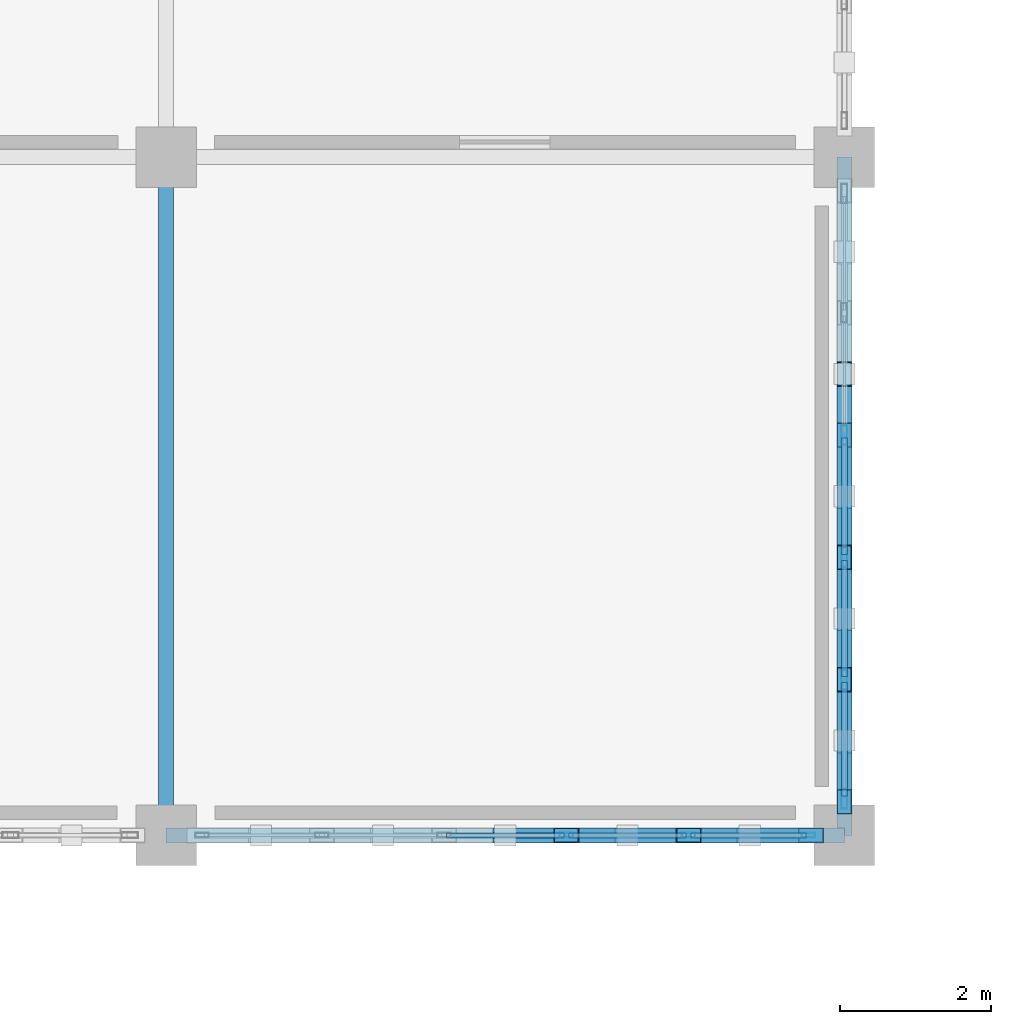
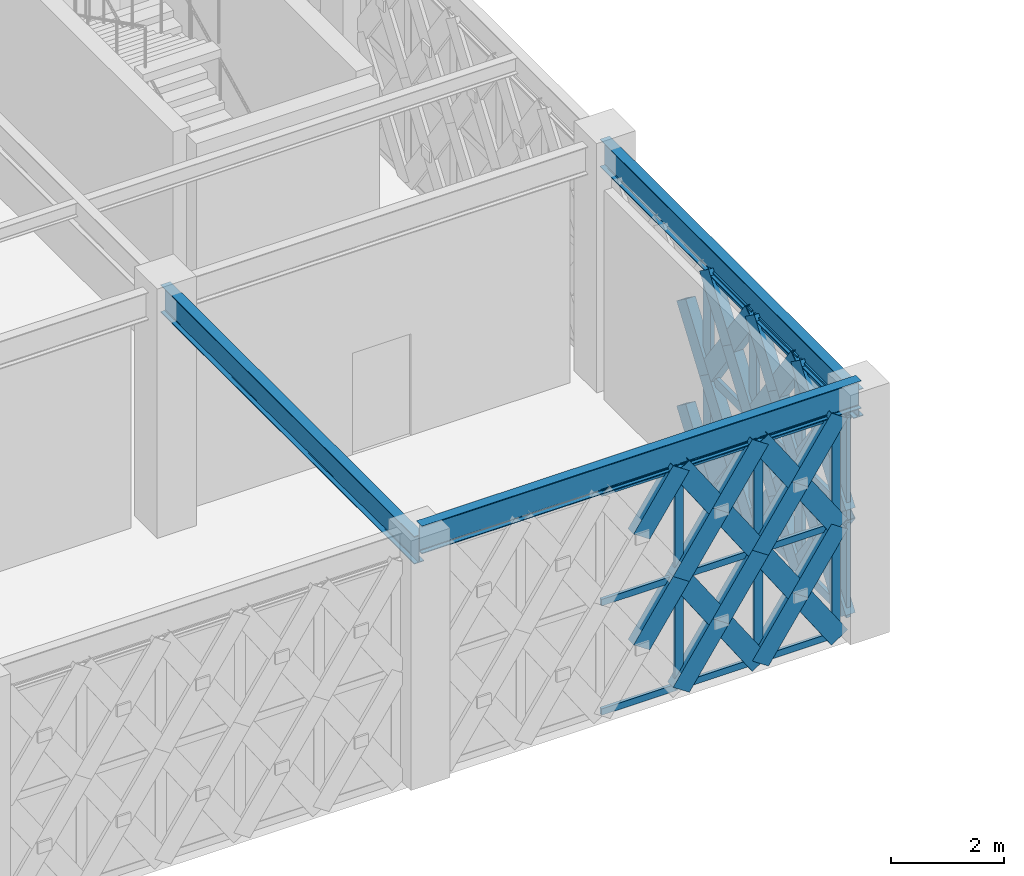
# One storey, part 11 of 86: 59 members, 3 beams, 2 elements without a shape of their own.
"""IFC4 building model written with IfcOpenShell, lengths in metres."""

from ifc_helpers import new_model, si_unit, direction, frame, origin, origin_2d, place, context, subcontext, project, spatial, hollow_rectangle, i_section, extrude, material, material_profile, profile_set, type_object, element, aggregate, save


model = new_model("IFC4")

# Units and contexts
model_context = context("Model", 3, precision=1e-05, world=origin(), true_north=direction((0.0, 1.0)))
body_context = subcontext(model_context, "Body", "Model", "MODEL_VIEW")
ifc_project = project(units=[si_unit("LENGTHUNIT", "METRE"), si_unit("AREAUNIT", "SQUARE_METRE"), si_unit("VOLUMEUNIT", "CUBIC_METRE"), si_unit("PLANEANGLEUNIT", "RADIAN"), si_unit("MASSUNIT", "GRAM", prefix="KILO")], contexts=[model_context])

# Site, building, storey
site_placement = place(None, origin())
site = spatial("IfcSite", under=ifc_project, at=site_placement, CompositionType="ELEMENT")
building_placement = place(site_placement, origin())
building = spatial("IfcBuilding", under=site, at=building_placement, Name="Haizhuo Lancet Aquarium", CompositionType="ELEMENT")
storey_placement = place(building_placement, frame((0.0, 0.0, 16.199951171875)))
storey = spatial("IfcBuildingStorey", under=building, at=storey_placement, Name="L03", CompositionType="ELEMENT", Elevation=16.199951171875)

# Beams
ifc_material_1 = material(Name="Steel S355", Category="steel")
ifc_material_profile_1 = material_profile(ifc_material_1, i_section(OverallWidth=0.199951171875, OverallDepth=0.60009765625, WebThickness=0.010986328125, FlangeThickness=0.01708984375, FilletRadius=0.02197265625, at=origin_2d()), Name="HN 600x200x11x17")
ifc_profile_set_1 = profile_set([ifc_material_profile_1], Name="Steel S355")
beam_type = type_object("IfcBeamType", Name="BM-ST-HN600", PredefinedType="BEAM", material=ifc_profile_set_1)
for number, where, z_axis, x_axis, name in (
    (1, (-45.0, -36.0, 4.85009765625), (0.0, 1.0, 0.0), (-1.0, 0.0, 0.0), "L03 V6 primary girder BM-L03-V6-021"),
    (2, (-45.0, -36.0, 5.10009765625), (1.0, 0.0, 0.0), (0.0, 1.0, 0.0), "L03 V6 primary girder BM-L03-V6-022"),
    (3, (-36.0, -36.0, 4.85009765625), (0.0, 1.0, 0.0), (-1.0, 0.0, 0.0), "L03 V6 primary girder BM-L03-V6-027"),
):
    element("IfcBeam", number, at=place(storey_placement, frame(where, z_axis=z_axis, x_axis=x_axis)), inside=storey, type_object=beam_type, Name=name, PredefinedType="BEAM", context=body_context, shape_type="SweptSolid", body=[
        extrude(i_section(OverallWidth=0.199951171875, OverallDepth=0.60009765625, WebThickness=0.010986328125, FlangeThickness=0.01708984375, FilletRadius=0.02197265625, at=origin_2d()), origin(), (0.0, 0.0, 1.0), 9.0),
    ])

# Curtain wall, members
ifc_material_2 = material(Name="Aluminium 6063-T6", Category="aluminium")
curtain_wall_type_1 = type_object("IfcCurtainWallType", Name="CWD-8110x4800", PredefinedType="NOTDEFINED", material=ifc_material_2)
curtain_wall_1_placement = place(storey_placement, origin())
curtain_wall_1 = element("IfcCurtainWall", 4, at=curtain_wall_1_placement, inside=storey, type_object=curtain_wall_type_1, Name="L03 curtain wall CW-V6-L03-238", PredefinedType="NOTDEFINED")
ifc_material_profile_2 = material_profile(ifc_material_2, hollow_rectangle(XDim=0.06494140625, YDim=0.179931640625, WallThickness=0.00390625, at=origin_2d()), Name="ALU-M 65x180x4")
ifc_profile_set_2 = profile_set([ifc_material_profile_2], Name="Aluminium 6063-T6")
member_type_1 = type_object("IfcMemberType", Name="CW-MUL-1", PredefinedType="MULLION", material=ifc_profile_set_2)
member_1_placement = place(storey_placement, frame((-36.47705078125, -36.0, 0.0), z_axis=(0.0, 0.0, 1.0), x_axis=(0.0, -1.0, 0.0)))
member_1 = element("IfcMember", 5, at=member_1_placement, type_object=member_type_1, Name="CWD-81x48 mullion 1", PredefinedType="MULLION", context=body_context, shape_type="SweptSolid", body=[
    extrude(hollow_rectangle(XDim=0.06494140625, YDim=0.179931640625, WallThickness=0.00390625, at=origin_2d()), origin(), (0.0, 0.0, 1.0), 4.800048828125),
])
member_2_placement = place(storey_placement, frame((-38.06689453125, -36.0, 0.0), z_axis=(0.0, 0.0, 1.0), x_axis=(0.0, -1.0, 0.0)))
member_2 = element("IfcMember", 6, at=member_2_placement, type_object=member_type_1, Name="CWD-81x48 mullion 2", PredefinedType="MULLION", context=body_context, shape_type="SweptSolid", body=[
    extrude(hollow_rectangle(XDim=0.06494140625, YDim=0.179931640625, WallThickness=0.00390625, at=origin_2d()), origin(), (0.0, 0.0, 1.0), 4.800048828125),
])
member_3_placement = place(storey_placement, frame((-39.68896484375, -36.0, 0.0), z_axis=(0.0, 0.0, 1.0), x_axis=(0.0, -1.0, 0.0)))
member_3 = element("IfcMember", 7, at=member_3_placement, type_object=member_type_1, Name="CWD-81x48 mullion 3", PredefinedType="MULLION", context=body_context, shape_type="SweptSolid", body=[
    extrude(hollow_rectangle(XDim=0.06494140625, YDim=0.179931640625, WallThickness=0.00390625, at=origin_2d()), origin(), (0.0, 0.0, 1.0), 4.800048828125),
])

curtain_wall_type_2 = type_object("IfcCurtainWallType", Name="CWD-8110x4550", PredefinedType="NOTDEFINED", material=ifc_material_2)
curtain_wall_2_placement = place(storey_placement, origin())
curtain_wall_2 = element("IfcCurtainWall", 8, at=curtain_wall_2_placement, inside=storey, type_object=curtain_wall_type_2, Name="L03 curtain wall CW-V6-L03-237", PredefinedType="NOTDEFINED")
ifc_material_profile_3 = material_profile(ifc_material_2, hollow_rectangle(XDim=0.080078125, YDim=0.260009765625, WallThickness=0.0048828125, at=origin_2d()), Name="ALU-M 80x260x5")
ifc_profile_set_3 = profile_set([ifc_material_profile_3], Name="Aluminium 6063-T6")
member_type_2 = type_object("IfcMemberType", Name="CW-MUL-3", PredefinedType="MULLION", material=ifc_profile_set_3)
member_4_placement = place(storey_placement, frame((-36.0, -30.68896484375, 0.0), z_axis=(0.0, 0.0, 1.0), x_axis=(1.0, 0.0, 0.0)))
member_4 = element("IfcMember", 9, at=member_4_placement, type_object=member_type_2, Name="CWD-81x45 mullion 3", PredefinedType="MULLION", context=body_context, shape_type="SweptSolid", body=[
    extrude(hollow_rectangle(XDim=0.080078125, YDim=0.260009765625, WallThickness=0.0048828125, at=origin_2d()), origin(), (0.0, 0.0, 1.0), 4.550048828125),
])
member_5_placement = place(storey_placement, frame((-36.0, -32.31103515625, 0.0), z_axis=(0.0, 0.0, 1.0), x_axis=(1.0, 0.0, 0.0)))
member_5 = element("IfcMember", 10, at=member_5_placement, type_object=member_type_2, Name="CWD-81x45 mullion 4", PredefinedType="MULLION", context=body_context, shape_type="SweptSolid", body=[
    extrude(hollow_rectangle(XDim=0.080078125, YDim=0.260009765625, WallThickness=0.0048828125, at=origin_2d()), origin(), (0.0, 0.0, 1.0), 4.550048828125),
])
member_6_placement = place(storey_placement, frame((-36.0, -33.93310546875, 0.0), z_axis=(0.0, 0.0, 1.0), x_axis=(1.0, 0.0, 0.0)))
member_6 = element("IfcMember", 11, at=member_6_placement, type_object=member_type_2, Name="CWD-81x45 mullion 5", PredefinedType="MULLION", context=body_context, shape_type="SweptSolid", body=[
    extrude(hollow_rectangle(XDim=0.080078125, YDim=0.260009765625, WallThickness=0.0048828125, at=origin_2d()), origin(), (0.0, 0.0, 1.0), 4.550048828125),
])
member_7_placement = place(storey_placement, frame((-36.0, -35.514892578125, 0.0), z_axis=(0.0, 0.0, 1.0), x_axis=(1.0, 0.0, 0.0)))
member_7 = element("IfcMember", 12, at=member_7_placement, type_object=member_type_2, Name="CWD-81x45 mullion 6", PredefinedType="MULLION", context=body_context, shape_type="SweptSolid", body=[
    extrude(hollow_rectangle(XDim=0.080078125, YDim=0.260009765625, WallThickness=0.0048828125, at=origin_2d()), origin(), (0.0, 0.0, 1.0), 4.550048828125),
])

# Member
ifc_material_profile_4 = material_profile(ifc_material_2, hollow_rectangle(XDim=0.06494140625, YDim=0.139892578125, WallThickness=0.00390625, at=origin_2d()), Name="ALU-T 65x140x4")
ifc_profile_set_4 = profile_set([ifc_material_profile_4], Name="Aluminium 6063-T6")
member_type_3 = type_object("IfcMemberType", Name="CW-TRN-1", PredefinedType="NOTDEFINED", material=ifc_profile_set_4)
member_8_placement = place(storey_placement, frame((-36.510009765625, -36.0, 0.031982421875), z_axis=(-1.0, 0.0, 0.0), x_axis=(0.0, -1.0, 0.0)))
member_8 = element("IfcMember", 13, at=member_8_placement, type_object=member_type_3, Name="CWD-81x48 transom 1.1", ObjectType="TRANSOM", PredefinedType="USERDEFINED", context=body_context, shape_type="SweptSolid", body=[
    extrude(hollow_rectangle(XDim=0.06494140625, YDim=0.139892578125, WallThickness=0.00390625, at=origin_2d()), origin(), (0.0, 0.0, 1.0), 1.52490234375),
])

member_9_placement = place(storey_placement, frame((-36.510009765625, -36.0, 2.400146484375), z_axis=(-1.0, 0.0, 0.0), x_axis=(0.0, -1.0, 0.0)))
member_9 = element("IfcMember", 14, at=member_9_placement, type_object=member_type_3, Name="CWD-81x48 transom 1.2", ObjectType="TRANSOM", PredefinedType="USERDEFINED", context=body_context, shape_type="SweptSolid", body=[
    extrude(hollow_rectangle(XDim=0.06494140625, YDim=0.139892578125, WallThickness=0.00390625, at=origin_2d()), origin(), (0.0, 0.0, 1.0), 1.52490234375),
])

member_10_placement = place(storey_placement, frame((-36.510009765625, -36.0, 4.76806640625), z_axis=(-1.0, 0.0, 0.0), x_axis=(0.0, -1.0, 0.0)))
member_10 = element("IfcMember", 15, at=member_10_placement, type_object=member_type_3, Name="CWD-81x48 transom 1.3", ObjectType="TRANSOM", PredefinedType="USERDEFINED", context=body_context, shape_type="SweptSolid", body=[
    extrude(hollow_rectangle(XDim=0.06494140625, YDim=0.139892578125, WallThickness=0.00390625, at=origin_2d()), origin(), (0.0, 0.0, 1.0), 1.52490234375),
])

member_11_placement = place(storey_placement, frame((-38.09912109375, -36.0, 0.031982421875), z_axis=(-1.0, 0.0, 0.0), x_axis=(0.0, -1.0, 0.0)))
member_11 = element("IfcMember", 16, at=member_11_placement, type_object=member_type_3, Name="CWD-81x48 transom 2.1", ObjectType="TRANSOM", PredefinedType="USERDEFINED", context=body_context, shape_type="SweptSolid", body=[
    extrude(hollow_rectangle(XDim=0.06494140625, YDim=0.139892578125, WallThickness=0.00390625, at=origin_2d()), origin(), (0.0, 0.0, 1.0), 1.557861328125),
])

member_12_placement = place(storey_placement, frame((-38.09912109375, -36.0, 2.400146484375), z_axis=(-1.0, 0.0, 0.0), x_axis=(0.0, -1.0, 0.0)))
member_12 = element("IfcMember", 17, at=member_12_placement, type_object=member_type_3, Name="CWD-81x48 transom 2.2", ObjectType="TRANSOM", PredefinedType="USERDEFINED", context=body_context, shape_type="SweptSolid", body=[
    extrude(hollow_rectangle(XDim=0.06494140625, YDim=0.139892578125, WallThickness=0.00390625, at=origin_2d()), origin(), (0.0, 0.0, 1.0), 1.557861328125),
])

member_13_placement = place(storey_placement, frame((-38.09912109375, -36.0, 4.76806640625), z_axis=(-1.0, 0.0, 0.0), x_axis=(0.0, -1.0, 0.0)))
member_13 = element("IfcMember", 18, at=member_13_placement, type_object=member_type_3, Name="CWD-81x48 transom 2.3", ObjectType="TRANSOM", PredefinedType="USERDEFINED", context=body_context, shape_type="SweptSolid", body=[
    extrude(hollow_rectangle(XDim=0.06494140625, YDim=0.139892578125, WallThickness=0.00390625, at=origin_2d()), origin(), (0.0, 0.0, 1.0), 1.557861328125),
])

member_14_placement = place(storey_placement, frame((-39.720947265625, -36.0, 0.031982421875), z_axis=(-1.0, 0.0, 0.0), x_axis=(0.0, -1.0, 0.0)))
member_14 = element("IfcMember", 19, at=member_14_placement, type_object=member_type_3, Name="CWD-81x48 transom 3.1", ObjectType="TRANSOM", PredefinedType="USERDEFINED", context=body_context, shape_type="SweptSolid", body=[
    extrude(hollow_rectangle(XDim=0.06494140625, YDim=0.139892578125, WallThickness=0.00390625, at=origin_2d()), origin(), (0.0, 0.0, 1.0), 1.55810546875),
])

member_15_placement = place(storey_placement, frame((-39.720947265625, -36.0, 2.400146484375), z_axis=(-1.0, 0.0, 0.0), x_axis=(0.0, -1.0, 0.0)))
member_15 = element("IfcMember", 20, at=member_15_placement, type_object=member_type_3, Name="CWD-81x48 transom 3.2", ObjectType="TRANSOM", PredefinedType="USERDEFINED", context=body_context, shape_type="SweptSolid", body=[
    extrude(hollow_rectangle(XDim=0.06494140625, YDim=0.139892578125, WallThickness=0.00390625, at=origin_2d()), origin(), (0.0, 0.0, 1.0), 1.55810546875),
])

member_16_placement = place(storey_placement, frame((-39.720947265625, -36.0, 4.76806640625), z_axis=(-1.0, 0.0, 0.0), x_axis=(0.0, -1.0, 0.0)))
member_16 = element("IfcMember", 21, at=member_16_placement, type_object=member_type_3, Name="CWD-81x48 transom 3.3", ObjectType="TRANSOM", PredefinedType="USERDEFINED", context=body_context, shape_type="SweptSolid", body=[
    extrude(hollow_rectangle(XDim=0.06494140625, YDim=0.139892578125, WallThickness=0.00390625, at=origin_2d()), origin(), (0.0, 0.0, 1.0), 1.55810546875),
])

aggregate(curtain_wall_1, [member_1, member_2, member_3, member_8, member_9, member_10, member_11, member_12, member_13, member_14, member_15, member_16])

ifc_material_profile_5 = material_profile(ifc_material_2, hollow_rectangle(XDim=0.080078125, YDim=0.18994140625, WallThickness=0.0048828125, at=origin_2d()), Name="ALU-T 80x190x5")
ifc_profile_set_5 = profile_set([ifc_material_profile_5], Name="Aluminium 6063-T6")
member_type_4 = type_object("IfcMemberType", Name="CW-TRN-3", PredefinedType="NOTDEFINED", material=ifc_profile_set_5)
member_17_placement = place(storey_placement, frame((-36.0, -30.72900390625, 0.0400390625), z_axis=(0.0, -1.0, 0.0), x_axis=(1.0, 0.0, 0.0)))
member_17 = element("IfcMember", 22, at=member_17_placement, type_object=member_type_4, Name="CWD-81x45 transom 3.1", ObjectType="TRANSOM", PredefinedType="USERDEFINED", context=body_context, shape_type="SweptSolid", body=[
    extrude(hollow_rectangle(XDim=0.080078125, YDim=0.18994140625, WallThickness=0.0048828125, at=origin_2d()), origin(), (0.0, 0.0, 1.0), 1.5419921875),
])

member_18_placement = place(storey_placement, frame((-36.0, -30.72900390625, 2.275146484375), z_axis=(0.0, -1.0, 0.0), x_axis=(1.0, 0.0, 0.0)))
member_18 = element("IfcMember", 23, at=member_18_placement, type_object=member_type_4, Name="CWD-81x45 transom 3.2", ObjectType="TRANSOM", PredefinedType="USERDEFINED", context=body_context, shape_type="SweptSolid", body=[
    extrude(hollow_rectangle(XDim=0.080078125, YDim=0.18994140625, WallThickness=0.0048828125, at=origin_2d()), origin(), (0.0, 0.0, 1.0), 1.5419921875),
])

member_19_placement = place(storey_placement, frame((-36.0, -30.72900390625, 4.510009765625), z_axis=(0.0, -1.0, 0.0), x_axis=(1.0, 0.0, 0.0)))
member_19 = element("IfcMember", 24, at=member_19_placement, type_object=member_type_4, Name="CWD-81x45 transom 3.3", ObjectType="TRANSOM", PredefinedType="USERDEFINED", context=body_context, shape_type="SweptSolid", body=[
    extrude(hollow_rectangle(XDim=0.080078125, YDim=0.18994140625, WallThickness=0.0048828125, at=origin_2d()), origin(), (0.0, 0.0, 1.0), 1.5419921875),
])

member_20_placement = place(storey_placement, frame((-36.0, -32.35107421875, 0.0400390625), z_axis=(0.0, -1.0, 0.0), x_axis=(1.0, 0.0, 0.0)))
member_20 = element("IfcMember", 25, at=member_20_placement, type_object=member_type_4, Name="CWD-81x45 transom 4.1", ObjectType="TRANSOM", PredefinedType="USERDEFINED", context=body_context, shape_type="SweptSolid", body=[
    extrude(hollow_rectangle(XDim=0.080078125, YDim=0.18994140625, WallThickness=0.0048828125, at=origin_2d()), origin(), (0.0, 0.0, 1.0), 1.5419921875),
])

member_21_placement = place(storey_placement, frame((-36.0, -32.35107421875, 2.275146484375), z_axis=(0.0, -1.0, 0.0), x_axis=(1.0, 0.0, 0.0)))
member_21 = element("IfcMember", 26, at=member_21_placement, type_object=member_type_4, Name="CWD-81x45 transom 4.2", ObjectType="TRANSOM", PredefinedType="USERDEFINED", context=body_context, shape_type="SweptSolid", body=[
    extrude(hollow_rectangle(XDim=0.080078125, YDim=0.18994140625, WallThickness=0.0048828125, at=origin_2d()), origin(), (0.0, 0.0, 1.0), 1.5419921875),
])

member_22_placement = place(storey_placement, frame((-36.0, -32.35107421875, 4.510009765625), z_axis=(0.0, -1.0, 0.0), x_axis=(1.0, 0.0, 0.0)))
member_22 = element("IfcMember", 27, at=member_22_placement, type_object=member_type_4, Name="CWD-81x45 transom 4.3", ObjectType="TRANSOM", PredefinedType="USERDEFINED", context=body_context, shape_type="SweptSolid", body=[
    extrude(hollow_rectangle(XDim=0.080078125, YDim=0.18994140625, WallThickness=0.0048828125, at=origin_2d()), origin(), (0.0, 0.0, 1.0), 1.5419921875),
])

member_23_placement = place(storey_placement, frame((-36.0, -33.972900390625, 0.0400390625), z_axis=(0.0, -1.0, 0.0), x_axis=(1.0, 0.0, 0.0)))
member_23 = element("IfcMember", 28, at=member_23_placement, type_object=member_type_4, Name="CWD-81x45 transom 5.1", ObjectType="TRANSOM", PredefinedType="USERDEFINED", context=body_context, shape_type="SweptSolid", body=[
    extrude(hollow_rectangle(XDim=0.080078125, YDim=0.18994140625, WallThickness=0.0048828125, at=origin_2d()), origin(), (0.0, 0.0, 1.0), 1.502197265625),
])

member_24_placement = place(storey_placement, frame((-36.0, -33.972900390625, 2.275146484375), z_axis=(0.0, -1.0, 0.0), x_axis=(1.0, 0.0, 0.0)))
member_24 = element("IfcMember", 29, at=member_24_placement, type_object=member_type_4, Name="CWD-81x45 transom 5.2", ObjectType="TRANSOM", PredefinedType="USERDEFINED", context=body_context, shape_type="SweptSolid", body=[
    extrude(hollow_rectangle(XDim=0.080078125, YDim=0.18994140625, WallThickness=0.0048828125, at=origin_2d()), origin(), (0.0, 0.0, 1.0), 1.502197265625),
])

member_25_placement = place(storey_placement, frame((-36.0, -33.972900390625, 4.510009765625), z_axis=(0.0, -1.0, 0.0), x_axis=(1.0, 0.0, 0.0)))
member_25 = element("IfcMember", 30, at=member_25_placement, type_object=member_type_4, Name="CWD-81x45 transom 5.3", ObjectType="TRANSOM", PredefinedType="USERDEFINED", context=body_context, shape_type="SweptSolid", body=[
    extrude(hollow_rectangle(XDim=0.080078125, YDim=0.18994140625, WallThickness=0.0048828125, at=origin_2d()), origin(), (0.0, 0.0, 1.0), 1.502197265625),
])

aggregate(curtain_wall_2, [member_4, member_5, member_6, member_7, member_17, member_18, member_19, member_20, member_21, member_22, member_23, member_24, member_25])

# Members
ifc_material_profile_6 = material_profile(ifc_material_1, hollow_rectangle(XDim=0.199951171875, YDim=0.39990234375, WallThickness=0.011962890625, at=origin_2d()), Name="RHS 200x400x12")
ifc_profile_set_6 = profile_set([ifc_material_profile_6], Name="Steel S355")
member_type_5 = type_object("IfcMemberType", Name="MEM-LB-RHS200x400", PredefinedType="BRACE", material=ifc_profile_set_6)
member_26_placement = place(storey_placement, frame((-36.0, -30.68896484375, 0.0), z_axis=(0.0, 0.580725454015, 0.814099470003), x_axis=(-1.0, 0.0, 0.0)))
element("IfcMember", 31, at=member_26_placement, inside=storey, type_object=member_type_5, Name="Gothic lancet split diagonal brace CW-V6-L03-237 3B1", PredefinedType="BRACE", context=body_context, shape_type="SweptSolid", body=[
    extrude(hollow_rectangle(XDim=0.199951171875, YDim=0.39990234375, WallThickness=0.011962890625, at=origin_2d()), origin(), (0.0, 0.0, 1.0), 1.396484375),
])
member_27_placement = place(storey_placement, frame((-36.0, -30.68896484375, 2.275146484375), z_axis=(0.0, 0.580395012026, 0.814335084603), x_axis=(-1.0, 0.0, 0.0)))
element("IfcMember", 32, at=member_27_placement, inside=storey, type_object=member_type_5, Name="Gothic lancet split diagonal brace CW-V6-L03-237 4B1", PredefinedType="BRACE", context=body_context, shape_type="SweptSolid", body=[
    extrude(hollow_rectangle(XDim=0.199951171875, YDim=0.39990234375, WallThickness=0.011962890625, at=origin_2d()), origin(), (0.0, 0.0, 1.0), 1.3974609375),
])
member_28_placement = place(storey_placement, frame((-36.0, -30.68896484375, 0.0), z_axis=(0.0, -0.580518894897, 0.814246776271), x_axis=(1.0, 0.0, 0.0)))
element("IfcMember", 33, at=member_28_placement, inside=storey, type_object=member_type_5, Name="Gothic lancet continuous diagonal brace CW-V6-L03-237 5A", PredefinedType="BRACE", context=body_context, shape_type="SweptSolid", body=[
    extrude(hollow_rectangle(XDim=0.199951171875, YDim=0.39990234375, WallThickness=0.011962890625, at=origin_2d()), origin(), (0.0, 0.0, 1.0), 2.794189453125),
])
member_29_placement = place(storey_placement, frame((-36.0, -32.31103515625, 0.0), z_axis=(0.0, 0.580725454015, 0.814099470003), x_axis=(-1.0, 0.0, 0.0)))
element("IfcMember", 34, at=member_29_placement, inside=storey, type_object=member_type_5, Name="Gothic lancet split diagonal brace CW-V6-L03-237 5B1", PredefinedType="BRACE", context=body_context, shape_type="SweptSolid", body=[
    extrude(hollow_rectangle(XDim=0.199951171875, YDim=0.39990234375, WallThickness=0.011962890625, at=origin_2d()), origin(), (0.0, 0.0, 1.0), 1.396484375),
])
member_30_placement = place(storey_placement, frame((-36.0, -31.5, 1.136962890625), z_axis=(0.0, 0.580312445357, 0.814393925422), x_axis=(-1.0, 0.0, 0.0)))
element("IfcMember", 35, at=member_30_placement, inside=storey, type_object=member_type_5, Name="Gothic lancet split diagonal brace CW-V6-L03-237 5B2", PredefinedType="BRACE", context=body_context, shape_type="SweptSolid", body=[
    extrude(hollow_rectangle(XDim=0.199951171875, YDim=0.39990234375, WallThickness=0.011962890625, at=origin_2d()), origin(), (0.0, 0.0, 1.0), 1.397705078125),
])
member_31_placement = place(storey_placement, frame((-36.0, -30.68896484375, 2.275146484375), z_axis=(0.0, -0.580560197953, 0.814217327593), x_axis=(1.0, 0.0, 0.0)))
element("IfcMember", 36, at=member_31_placement, inside=storey, type_object=member_type_5, Name="Gothic lancet continuous diagonal brace CW-V6-L03-237 6A", PredefinedType="BRACE", context=body_context, shape_type="SweptSolid", body=[
    extrude(hollow_rectangle(XDim=0.199951171875, YDim=0.39990234375, WallThickness=0.011962890625, at=origin_2d()), origin(), (0.0, 0.0, 1.0), 2.7939453125),
])
member_32_placement = place(storey_placement, frame((-36.0, -32.31103515625, 2.275146484375), z_axis=(0.0, 0.580395012026, 0.814335084603), x_axis=(-1.0, 0.0, 0.0)))
element("IfcMember", 37, at=member_32_placement, inside=storey, type_object=member_type_5, Name="Gothic lancet split diagonal brace CW-V6-L03-237 6B1", PredefinedType="BRACE", context=body_context, shape_type="SweptSolid", body=[
    extrude(hollow_rectangle(XDim=0.199951171875, YDim=0.39990234375, WallThickness=0.011962890625, at=origin_2d()), origin(), (0.0, 0.0, 1.0), 1.3974609375),
])
member_33_placement = place(storey_placement, frame((-36.0, -31.5, 3.4130859375), z_axis=(0.0, 0.580725454015, 0.814099470003), x_axis=(-1.0, 0.0, 0.0)))
element("IfcMember", 38, at=member_33_placement, inside=storey, type_object=member_type_5, Name="Gothic lancet split diagonal brace CW-V6-L03-237 6B2", PredefinedType="BRACE", context=body_context, shape_type="SweptSolid", body=[
    extrude(hollow_rectangle(XDim=0.199951171875, YDim=0.39990234375, WallThickness=0.011962890625, at=origin_2d()), origin(), (0.0, 0.0, 1.0), 1.396484375),
])
member_34_placement = place(storey_placement, frame((-36.0, -32.31103515625, 0.0), z_axis=(0.0, -0.580518894897, 0.814246776271), x_axis=(1.0, 0.0, 0.0)))
element("IfcMember", 39, at=member_34_placement, inside=storey, type_object=member_type_5, Name="Gothic lancet continuous diagonal brace CW-V6-L03-237 7A", PredefinedType="BRACE", context=body_context, shape_type="SweptSolid", body=[
    extrude(hollow_rectangle(XDim=0.199951171875, YDim=0.39990234375, WallThickness=0.011962890625, at=origin_2d()), origin(), (0.0, 0.0, 1.0), 2.794189453125),
])
member_35_placement = place(storey_placement, frame((-36.0, -33.93310546875, 0.0), z_axis=(0.0, 0.580725454015, 0.814099470003), x_axis=(-1.0, 0.0, 0.0)))
element("IfcMember", 40, at=member_35_placement, inside=storey, type_object=member_type_5, Name="Gothic lancet split diagonal brace CW-V6-L03-237 7B1", PredefinedType="BRACE", context=body_context, shape_type="SweptSolid", body=[
    extrude(hollow_rectangle(XDim=0.199951171875, YDim=0.39990234375, WallThickness=0.011962890625, at=origin_2d()), origin(), (0.0, 0.0, 1.0), 1.396484375),
])
member_36_placement = place(storey_placement, frame((-36.0, -33.1220703125, 1.136962890625), z_axis=(0.0, 0.580312445357, 0.814393925422), x_axis=(-1.0, 0.0, 0.0)))
element("IfcMember", 41, at=member_36_placement, inside=storey, type_object=member_type_5, Name="Gothic lancet split diagonal brace CW-V6-L03-237 7B2", PredefinedType="BRACE", context=body_context, shape_type="SweptSolid", body=[
    extrude(hollow_rectangle(XDim=0.199951171875, YDim=0.39990234375, WallThickness=0.011962890625, at=origin_2d()), origin(), (0.0, 0.0, 1.0), 1.397705078125),
])
member_37_placement = place(storey_placement, frame((-36.0, -32.31103515625, 2.275146484375), z_axis=(0.0, -0.580560197953, 0.814217327593), x_axis=(1.0, 0.0, 0.0)))
element("IfcMember", 42, at=member_37_placement, inside=storey, type_object=member_type_5, Name="Gothic lancet continuous diagonal brace CW-V6-L03-237 8A", PredefinedType="BRACE", context=body_context, shape_type="SweptSolid", body=[
    extrude(hollow_rectangle(XDim=0.199951171875, YDim=0.39990234375, WallThickness=0.011962890625, at=origin_2d()), origin(), (0.0, 0.0, 1.0), 2.7939453125),
])
member_38_placement = place(storey_placement, frame((-36.0, -33.93310546875, 2.275146484375), z_axis=(0.0, 0.580395012026, 0.814335084603), x_axis=(-1.0, 0.0, 0.0)))
element("IfcMember", 43, at=member_38_placement, inside=storey, type_object=member_type_5, Name="Gothic lancet split diagonal brace CW-V6-L03-237 8B1", PredefinedType="BRACE", context=body_context, shape_type="SweptSolid", body=[
    extrude(hollow_rectangle(XDim=0.199951171875, YDim=0.39990234375, WallThickness=0.011962890625, at=origin_2d()), origin(), (0.0, 0.0, 1.0), 1.3974609375),
])
member_39_placement = place(storey_placement, frame((-36.0, -33.1220703125, 3.4130859375), z_axis=(0.0, 0.580725454015, 0.814099470003), x_axis=(-1.0, 0.0, 0.0)))
element("IfcMember", 44, at=member_39_placement, inside=storey, type_object=member_type_5, Name="Gothic lancet split diagonal brace CW-V6-L03-237 8B2", PredefinedType="BRACE", context=body_context, shape_type="SweptSolid", body=[
    extrude(hollow_rectangle(XDim=0.199951171875, YDim=0.39990234375, WallThickness=0.011962890625, at=origin_2d()), origin(), (0.0, 0.0, 1.0), 1.396484375),
])
member_40_placement = place(storey_placement, frame((-36.0, -33.93310546875, 0.0), z_axis=(0.0, -0.580460961116, 0.81428807717), x_axis=(1.0, 0.0, 0.0)))
element("IfcMember", 45, at=member_40_placement, inside=storey, type_object=member_type_5, Name="Gothic lancet continuous diagonal brace CW-V6-L03-237 9A", PredefinedType="BRACE", context=body_context, shape_type="SweptSolid", body=[
    extrude(hollow_rectangle(XDim=0.199951171875, YDim=0.39990234375, WallThickness=0.011962890625, at=origin_2d()), origin(), (0.0, 0.0, 1.0), 2.7939453125),
])
member_41_placement = place(storey_placement, frame((-36.0, -35.554931640625, 0.0), z_axis=(0.0, 0.580725454015, 0.814099470003), x_axis=(-1.0, 0.0, 0.0)))
element("IfcMember", 46, at=member_41_placement, inside=storey, type_object=member_type_5, Name="Gothic lancet split diagonal brace CW-V6-L03-237 9B1", PredefinedType="BRACE", context=body_context, shape_type="SweptSolid", body=[
    extrude(hollow_rectangle(XDim=0.199951171875, YDim=0.39990234375, WallThickness=0.011962890625, at=origin_2d()), origin(), (0.0, 0.0, 1.0), 1.396484375),
])
member_42_placement = place(storey_placement, frame((-36.0, -34.743896484375, 1.136962890625), z_axis=(0.0, 0.580196568329, 0.814476483454), x_axis=(-1.0, 0.0, 0.0)))
element("IfcMember", 47, at=member_42_placement, inside=storey, type_object=member_type_5, Name="Gothic lancet split diagonal brace CW-V6-L03-237 9B2", PredefinedType="BRACE", context=body_context, shape_type="SweptSolid", body=[
    extrude(hollow_rectangle(XDim=0.199951171875, YDim=0.39990234375, WallThickness=0.011962890625, at=origin_2d()), origin(), (0.0, 0.0, 1.0), 1.3974609375),
])
member_43_placement = place(storey_placement, frame((-36.0, -33.93310546875, 2.275146484375), z_axis=(0.0, -0.58050226424, 0.814258632875), x_axis=(1.0, 0.0, 0.0)))
element("IfcMember", 48, at=member_43_placement, inside=storey, type_object=member_type_5, Name="Gothic lancet continuous diagonal brace CW-V6-L03-237 10A", PredefinedType="BRACE", context=body_context, shape_type="SweptSolid", body=[
    extrude(hollow_rectangle(XDim=0.199951171875, YDim=0.39990234375, WallThickness=0.011962890625, at=origin_2d()), origin(), (0.0, 0.0, 1.0), 2.7939453125),
])
member_44_placement = place(storey_placement, frame((-36.0, -35.554931640625, 2.275146484375), z_axis=(0.0, 0.580395012026, 0.814335084603), x_axis=(-1.0, 0.0, 0.0)))
element("IfcMember", 49, at=member_44_placement, inside=storey, type_object=member_type_5, Name="Gothic lancet split diagonal brace CW-V6-L03-237 10B1", PredefinedType="BRACE", context=body_context, shape_type="SweptSolid", body=[
    extrude(hollow_rectangle(XDim=0.199951171875, YDim=0.39990234375, WallThickness=0.011962890625, at=origin_2d()), origin(), (0.0, 0.0, 1.0), 1.3974609375),
])
member_45_placement = place(storey_placement, frame((-36.0, -34.743896484375, 3.4130859375), z_axis=(0.0, 0.580609578331, 0.814182115715), x_axis=(-1.0, 0.0, 0.0)))
element("IfcMember", 50, at=member_45_placement, inside=storey, type_object=member_type_5, Name="Gothic lancet split diagonal brace CW-V6-L03-237 10B2", PredefinedType="BRACE", context=body_context, shape_type="SweptSolid", body=[
    extrude(hollow_rectangle(XDim=0.199951171875, YDim=0.39990234375, WallThickness=0.011962890625, at=origin_2d()), origin(), (0.0, 0.0, 1.0), 1.396484375),
])
member_46_placement = place(storey_placement, frame((-36.445068359375, -36.0, 0.0), z_axis=(-0.559882433433, 0.0, 0.82857206128), x_axis=(0.0, -1.0, 0.0)))
element("IfcMember", 51, at=member_46_placement, inside=storey, type_object=member_type_5, Name="Gothic lancet continuous diagonal brace CW-V6-L03-238 1A", PredefinedType="BRACE", context=body_context, shape_type="SweptSolid", body=[
    extrude(hollow_rectangle(XDim=0.199951171875, YDim=0.39990234375, WallThickness=0.011962890625, at=origin_2d()), origin(), (0.0, 0.0, 1.0), 2.896728515625),
])
member_47_placement = place(storey_placement, frame((-38.06689453125, -36.0, 0.0), z_axis=(0.559863667597, 0.0, 0.828584741415), x_axis=(0.0, 1.0, 0.0)))
element("IfcMember", 52, at=member_47_placement, inside=storey, type_object=member_type_5, Name="Gothic lancet split diagonal brace CW-V6-L03-238 1B1", PredefinedType="BRACE", context=body_context, shape_type="SweptSolid", body=[
    extrude(hollow_rectangle(XDim=0.199951171875, YDim=0.39990234375, WallThickness=0.011962890625, at=origin_2d()), origin(), (0.0, 0.0, 1.0), 1.4482421875),
])
member_48_placement = place(storey_placement, frame((-37.256103515625, -36.0, 1.199951171875), z_axis=(0.559901194591, 0.0, 0.828559383687), x_axis=(0.0, 1.0, 0.0)))
element("IfcMember", 53, at=member_48_placement, inside=storey, type_object=member_type_5, Name="Gothic lancet split diagonal brace CW-V6-L03-238 1B2", PredefinedType="BRACE", context=body_context, shape_type="SweptSolid", body=[
    extrude(hollow_rectangle(XDim=0.199951171875, YDim=0.39990234375, WallThickness=0.011962890625, at=origin_2d()), origin(), (0.0, 0.0, 1.0), 1.448486328125),
])
member_49_placement = place(storey_placement, frame((-36.445068359375, -36.0, 2.400146484375), z_axis=(-0.559921534006, 0.0, 0.82854563891), x_axis=(0.0, -1.0, 0.0)))
element("IfcMember", 54, at=member_49_placement, inside=storey, type_object=member_type_5, Name="Gothic lancet continuous diagonal brace CW-V6-L03-238 2A", PredefinedType="BRACE", context=body_context, shape_type="SweptSolid", body=[
    extrude(hollow_rectangle(XDim=0.199951171875, YDim=0.39990234375, WallThickness=0.011962890625, at=origin_2d()), origin(), (0.0, 0.0, 1.0), 2.896484375),
])
for number, where, z_axis, x_axis, name in (
    (55, (-38.06689453125, -36.0, 2.400146484375), (0.559863667597, 0.0, 0.828584741415), (0.0, 1.0, 0.0), "Gothic lancet split diagonal brace CW-V6-L03-238 2B1"),
    (56, (-37.256103515625, -36.0, 3.60009765625), (0.559979392223, 0.0, 0.828506536055), (0.0, 1.0, 0.0), "Gothic lancet split diagonal brace CW-V6-L03-238 2B2"),
):
    element("IfcMember", number, at=place(storey_placement, frame(where, z_axis=z_axis, x_axis=x_axis)), inside=storey, type_object=member_type_5, Name=name, PredefinedType="BRACE", context=body_context, shape_type="SweptSolid", body=[
        extrude(hollow_rectangle(XDim=0.199951171875, YDim=0.39990234375, WallThickness=0.011962890625, at=origin_2d()), origin(), (0.0, 0.0, 1.0), 1.4482421875),
    ])
member_50_placement = place(storey_placement, frame((-38.06689453125, -36.0, 0.0), z_axis=(-0.5599402913, 0.0, 0.828532962639), x_axis=(0.0, -1.0, 0.0)))
element("IfcMember", 57, at=member_50_placement, inside=storey, type_object=member_type_5, Name="Gothic lancet continuous diagonal brace CW-V6-L03-238 3A", PredefinedType="BRACE", context=body_context, shape_type="SweptSolid", body=[
    extrude(hollow_rectangle(XDim=0.199951171875, YDim=0.39990234375, WallThickness=0.011962890625, at=origin_2d()), origin(), (0.0, 0.0, 1.0), 2.89697265625),
])
member_51_placement = place(storey_placement, frame((-39.68896484375, -36.0, 0.0), z_axis=(0.559979392223, 0.0, 0.828506536055), x_axis=(0.0, 1.0, 0.0)))
element("IfcMember", 58, at=member_51_placement, inside=storey, type_object=member_type_5, Name="Gothic lancet split diagonal brace CW-V6-L03-238 3B1", PredefinedType="BRACE", context=body_context, shape_type="SweptSolid", body=[
    extrude(hollow_rectangle(XDim=0.199951171875, YDim=0.39990234375, WallThickness=0.011962890625, at=origin_2d()), origin(), (0.0, 0.0, 1.0), 1.4482421875),
])
member_52_placement = place(storey_placement, frame((-38.8779296875, -36.0, 1.199951171875), z_axis=(0.559901194591, 0.0, 0.828559383687), x_axis=(0.0, 1.0, 0.0)))
element("IfcMember", 59, at=member_52_placement, inside=storey, type_object=member_type_5, Name="Gothic lancet split diagonal brace CW-V6-L03-238 3B2", PredefinedType="BRACE", context=body_context, shape_type="SweptSolid", body=[
    extrude(hollow_rectangle(XDim=0.199951171875, YDim=0.39990234375, WallThickness=0.011962890625, at=origin_2d()), origin(), (0.0, 0.0, 1.0), 1.448486328125),
])
member_53_placement = place(storey_placement, frame((-38.06689453125, -36.0, 2.400146484375), z_axis=(-0.559979392223, 0.0, 0.828506536055), x_axis=(0.0, -1.0, 0.0)))
element("IfcMember", 60, at=member_53_placement, inside=storey, type_object=member_type_5, Name="Gothic lancet continuous diagonal brace CW-V6-L03-238 4A", PredefinedType="BRACE", context=body_context, shape_type="SweptSolid", body=[
    extrude(hollow_rectangle(XDim=0.199951171875, YDim=0.39990234375, WallThickness=0.011962890625, at=origin_2d()), origin(), (0.0, 0.0, 1.0), 2.896728515625),
])
for number, where, z_axis, x_axis, name in (
    (61, (-39.68896484375, -36.0, 2.400146484375), (0.559979392223, 0.0, 0.828506536055), (0.0, 1.0, 0.0), "Gothic lancet split diagonal brace CW-V6-L03-238 4B1"),
    (62, (-38.8779296875, -36.0, 3.60009765625), (0.559979392223, 0.0, 0.828506536055), (0.0, 1.0, 0.0), "Gothic lancet split diagonal brace CW-V6-L03-238 4B2"),
):
    element("IfcMember", number, at=place(storey_placement, frame(where, z_axis=z_axis, x_axis=x_axis)), inside=storey, type_object=member_type_5, Name=name, PredefinedType="BRACE", context=body_context, shape_type="SweptSolid", body=[
        extrude(hollow_rectangle(XDim=0.199951171875, YDim=0.39990234375, WallThickness=0.011962890625, at=origin_2d()), origin(), (0.0, 0.0, 1.0), 1.4482421875),
    ])
member_54_placement = place(storey_placement, frame((-40.5, -36.0, 1.199951171875), z_axis=(0.559901194591, 0.0, 0.828559383687), x_axis=(0.0, 1.0, 0.0)))
element("IfcMember", 63, at=member_54_placement, inside=storey, type_object=member_type_5, Name="Gothic lancet split diagonal brace CW-V6-L03-238 5B2", PredefinedType="BRACE", context=body_context, shape_type="SweptSolid", body=[
    extrude(hollow_rectangle(XDim=0.199951171875, YDim=0.39990234375, WallThickness=0.011962890625, at=origin_2d()), origin(), (0.0, 0.0, 1.0), 1.448486328125),
])
member_55_placement = place(storey_placement, frame((-40.5, -36.0, 3.60009765625), z_axis=(0.559979392223, 0.0, 0.828506536055), x_axis=(0.0, 1.0, 0.0)))
element("IfcMember", 64, at=member_55_placement, inside=storey, type_object=member_type_5, Name="Gothic lancet split diagonal brace CW-V6-L03-238 6B2", PredefinedType="BRACE", context=body_context, shape_type="SweptSolid", body=[
    extrude(hollow_rectangle(XDim=0.199951171875, YDim=0.39990234375, WallThickness=0.011962890625, at=origin_2d()), origin(), (0.0, 0.0, 1.0), 1.4482421875),
])

save(model, "model.ifc")
